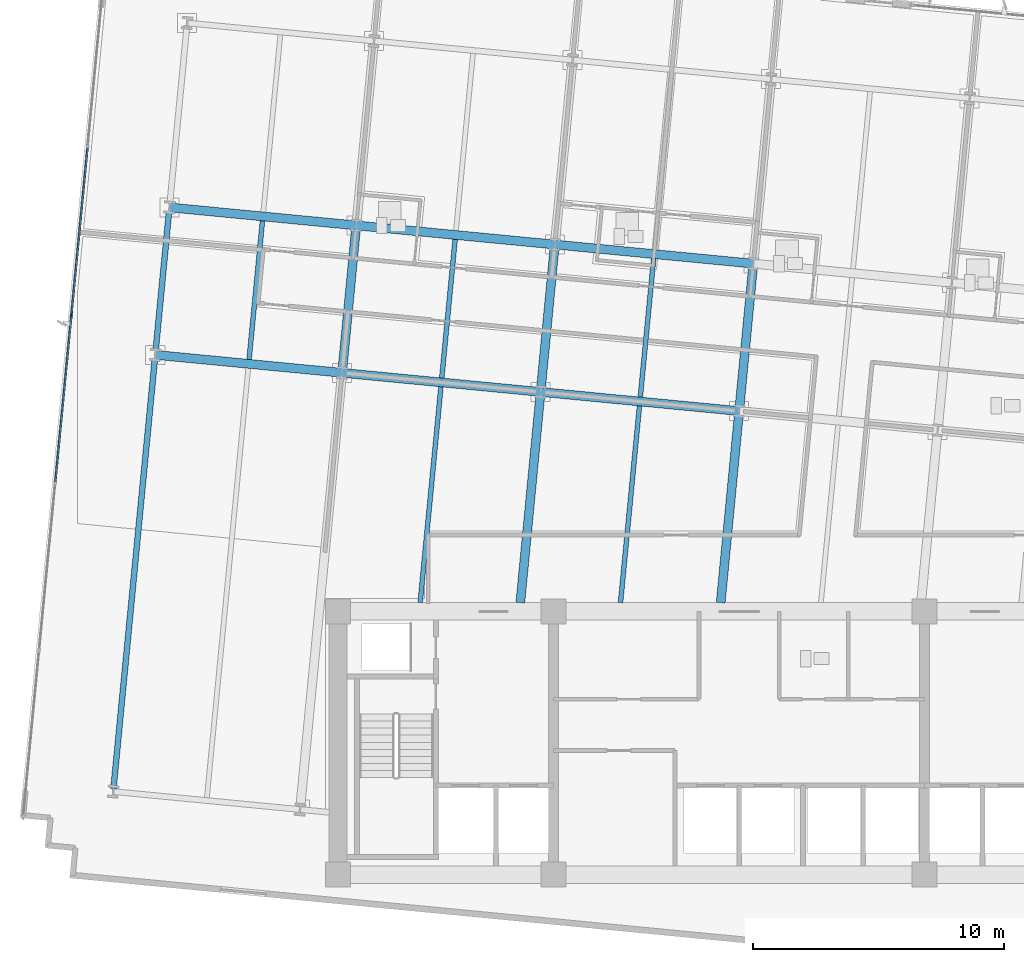
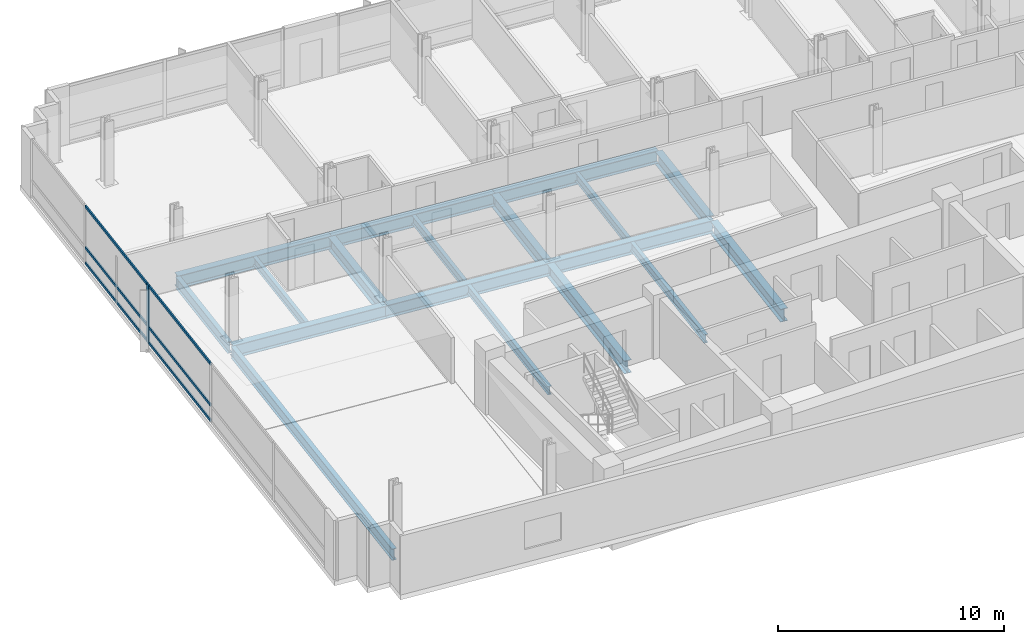
# One storey, part 4 of 17: 18 beams, 7 members, 1 element without a shape of its own.
"""IFC4 building model written with IfcOpenShell, lengths in metres."""

from ifc_helpers import new_model, si_unit, direction, frame, origin, origin_2d, place, context, subcontext, project, spatial, rectangle, i_section, extrude, material, material_profile, profile_set, type_object, element, aggregate, save


model = new_model("IFC4")

# Units and contexts
model_context = context("Model", 3, precision=1e-05, world=origin(), true_north=direction((0.0, 1.0)))
body_context = subcontext(model_context, "Body", "Model", "MODEL_VIEW")
ifc_project = project(units=[si_unit("LENGTHUNIT", "METRE"), si_unit("AREAUNIT", "SQUARE_METRE"), si_unit("VOLUMEUNIT", "CUBIC_METRE"), si_unit("PLANEANGLEUNIT", "RADIAN"), si_unit("MASSUNIT", "GRAM", prefix="KILO")], contexts=[model_context])

# Site, building, storey
site_placement = place(None, origin())
site = spatial("IfcSite", under=ifc_project, at=site_placement, CompositionType="ELEMENT")
building_placement = place(site_placement, origin())
building = spatial("IfcBuilding", under=site, at=building_placement, Name="Solmavex Isthmus Hotel", CompositionType="ELEMENT")
storey_placement = place(building_placement, frame((0.0, 0.0, 139.35009765625)))
storey = spatial("IfcBuildingStorey", under=building, at=storey_placement, Name="L37", CompositionType="ELEMENT", Elevation=139.35009765625)

# Beams
ifc_material_1 = material(Name="Steel ASTM A992 Grade 50", Category="steel")
ifc_material_profile_1 = material_profile(ifc_material_1, i_section(OverallWidth=0.354736328125, OverallDepth=0.695556640625, WebThickness=0.015380859375, FlangeThickness=0.02490234375, FilletRadius=0.017822265625, at=origin_2d()), Name="W27X146")
ifc_profile_set_1 = profile_set([ifc_material_profile_1], Name="Steel ASTM A992 Grade 50")
beam_type_1 = type_object("IfcBeamType", Name="BM-BG-W27X146", PredefinedType="BEAM", material=ifc_profile_set_1)
beam_1_placement = place(storey_placement, frame((-23.291015625, 7.733154296875, -0.60791015625), z_axis=(0.995395279593, -0.095855293875, 0.0), x_axis=(0.095855293875, 0.995395279593, 0.0)))
element("IfcBeam", 1, at=beam_1_placement, inside=storey, type_object=beam_type_1, Name="Floor Girder L37-UG03", PredefinedType="BEAM", context=body_context, shape_type="SweptSolid", body=[
    extrude(i_section(OverallWidth=0.354736328125, OverallDepth=0.695556640625, WebThickness=0.015380859375, FlangeThickness=0.02490234375, FilletRadius=0.017822265625, at=origin_2d()), origin(), (0.0, 0.0, 1.0), 7.488037109375),
])
beam_2_placement = place(storey_placement, frame((-15.83740234375, 7.015380859375, -0.60791015625), z_axis=(0.995397158178, -0.095835783981, 0.0), x_axis=(0.095835783981, 0.995397158178, 0.0)))
element("IfcBeam", 2, at=beam_2_placement, inside=storey, type_object=beam_type_1, Name="Floor Girder L37-UG04", PredefinedType="BEAM", context=body_context, shape_type="SweptSolid", body=[
    extrude(i_section(OverallWidth=0.354736328125, OverallDepth=0.695556640625, WebThickness=0.015380859375, FlangeThickness=0.02490234375, FilletRadius=0.017822265625, at=origin_2d()), origin(), (0.0, 0.0, 1.0), 7.955810546875),
])
beam_3_placement = place(storey_placement, frame((-7.918212890625, 6.2529296875, -0.60791015625), z_axis=(0.995394512348, -0.095863260885, 0.0), x_axis=(0.095863260885, 0.995394512348, 0.0)))
element("IfcBeam", 3, at=beam_3_placement, inside=storey, type_object=beam_type_1, Name="Floor Girder L37-UG05", PredefinedType="BEAM", context=body_context, shape_type="SweptSolid", body=[
    extrude(i_section(OverallWidth=0.354736328125, OverallDepth=0.695556640625, WebThickness=0.015380859375, FlangeThickness=0.02490234375, FilletRadius=0.017822265625, at=origin_2d()), origin(), (0.0, 0.0, 1.0), 7.9560546875),
])
beam_4_placement = place(storey_placement, frame((-22.724853515625, 13.614013671875, -0.60791015625), z_axis=(0.995395279593, -0.095855293875, 0.0), x_axis=(0.095855293875, 0.995395279593, 0.0)))
element("IfcBeam", 4, at=beam_4_placement, inside=storey, type_object=beam_type_1, Name="Floor Girder L37-UG09", PredefinedType="BEAM", context=body_context, shape_type="SweptSolid", body=[
    extrude(i_section(OverallWidth=0.354736328125, OverallDepth=0.695556640625, WebThickness=0.015380859375, FlangeThickness=0.02490234375, FilletRadius=0.017822265625, at=origin_2d()), origin(), (0.0, 0.0, 1.0), 7.488037109375),
])
for number, where, z_axis, x_axis, name in (
    (5, (-15.271240234375, 12.896240234375, -0.60791015625), (0.995397440011, -0.095832856685, 0.0), (0.095832856685, 0.995397440011, 0.0), "Floor Girder L37-UG10"),
    (6, (-7.351806640625, 12.1337890625, -0.60791015625), (0.995394512348, -0.095863260885, 0.0), (0.095863260885, 0.995394512348, 0.0), "Floor Girder L37-UG11"),
):
    element("IfcBeam", number, at=place(storey_placement, frame(where, z_axis=z_axis, x_axis=x_axis)), inside=storey, type_object=beam_type_1, Name=name, PredefinedType="BEAM", context=body_context, shape_type="SweptSolid", body=[
        extrude(i_section(OverallWidth=0.354736328125, OverallDepth=0.695556640625, WebThickness=0.015380859375, FlangeThickness=0.02490234375, FilletRadius=0.017822265625, at=origin_2d()), origin(), (0.0, 0.0, 1.0), 7.9560546875),
    ])
beam_5_placement = place(storey_placement, frame((-15.820556640625, 7.19189453125, -0.60791015625), z_axis=(0.095838058801, 0.995396939158, 0.0), x_axis=(-0.995396939158, 0.095838058801, 0.0)))
element("IfcBeam", 7, at=beam_5_placement, inside=storey, type_object=beam_type_1, Name="Floor Beam L37-VG25", PredefinedType="BEAM", context=body_context, shape_type="SweptSolid", body=[
    extrude(i_section(OverallWidth=0.354736328125, OverallDepth=0.695556640625, WebThickness=0.015380859375, FlangeThickness=0.02490234375, FilletRadius=0.017822265625, at=origin_2d()), origin(), (0.0, 0.0, 1.0), 5.553466796875),
])
beam_6_placement = place(storey_placement, frame((-8.727294921875, -2.14990234375, -0.60791015625), z_axis=(0.095861573524, 0.995394674851, 0.0), x_axis=(-0.995394674851, 0.095861573524, 0.0)))
element("IfcBeam", 8, at=beam_6_placement, inside=storey, type_object=beam_type_1, Name="Floor Beam L37-VG27", PredefinedType="BEAM", context=body_context, shape_type="SweptSolid", body=[
    extrude(i_section(OverallWidth=0.354736328125, OverallDepth=0.695556640625, WebThickness=0.015380859375, FlangeThickness=0.02490234375, FilletRadius=0.017822265625, at=origin_2d()), origin(), (0.0, 0.0, 1.0), 8.264404296875),
])
beam_7_placement = place(storey_placement, frame((-7.901123046875, 6.429443359375, -0.60791015625), z_axis=(0.095842252862, 0.99539653534, 0.0), x_axis=(-0.99539653534, 0.095842252862, 0.0)))
element("IfcBeam", 9, at=beam_7_placement, inside=storey, type_object=beam_type_1, Name="Floor Beam L37-VG28", PredefinedType="BEAM", context=body_context, shape_type="SweptSolid", body=[
    extrude(i_section(OverallWidth=0.354736328125, OverallDepth=0.695556640625, WebThickness=0.015380859375, FlangeThickness=0.02490234375, FilletRadius=0.017822265625, at=origin_2d()), origin(), (0.0, 0.0, 1.0), 5.55322265625),
])
beam_8_placement = place(storey_placement, frame((-0.734375, -2.14990234375, -0.60791015625), z_axis=(0.095856963455, 0.995395118813, 0.0), x_axis=(-0.995395118813, 0.095856963455, 0.0)))
element("IfcBeam", 10, at=beam_8_placement, inside=storey, type_object=beam_type_1, Name="Floor Beam L37-VG30", PredefinedType="BEAM", context=body_context, shape_type="SweptSolid", body=[
    extrude(i_section(OverallWidth=0.354736328125, OverallDepth=0.695556640625, WebThickness=0.015380859375, FlangeThickness=0.02490234375, FilletRadius=0.017822265625, at=origin_2d()), origin(), (0.0, 0.0, 1.0), 7.498046875),
])
beam_9_placement = place(storey_placement, frame((0.018310546875, 5.6669921875, -0.60791015625), z_axis=(0.095842252862, 0.99539653534, 0.0), x_axis=(-0.99539653534, 0.095842252862, 0.0)))
element("IfcBeam", 11, at=beam_9_placement, inside=storey, type_object=beam_type_1, Name="Floor Beam L37-VG31", PredefinedType="BEAM", context=body_context, shape_type="SweptSolid", body=[
    extrude(i_section(OverallWidth=0.354736328125, OverallDepth=0.695556640625, WebThickness=0.015380859375, FlangeThickness=0.02490234375, FilletRadius=0.017822265625, at=origin_2d()), origin(), (0.0, 0.0, 1.0), 5.55322265625),
])
ifc_material_profile_2 = material_profile(ifc_material_1, i_section(OverallWidth=0.1904296875, OverallDepth=0.456787109375, WebThickness=0.009033203125, FlangeThickness=0.014404296875, FilletRadius=0.0126953125, at=origin_2d()), Name="W18X50")
ifc_profile_set_2 = profile_set([ifc_material_profile_2], Name="Steel ASTM A992 Grade 50")
beam_type_2 = type_object("IfcBeamType", Name="BM-BJ-W18X50", PredefinedType="JOIST", material=ifc_profile_set_2)
beam_10_placement = place(storey_placement, frame((-19.547119140625, 7.55078125, -0.488525390625), z_axis=(0.095842252862, 0.99539653534, 0.0), x_axis=(-0.99539653534, 0.095842252862, 0.0)))
element("IfcBeam", 12, at=beam_10_placement, inside=storey, type_object=beam_type_2, Name="Secondary Floor Joist L37-J02", PredefinedType="JOIST", context=body_context, shape_type="SweptSolid", body=[
    extrude(i_section(OverallWidth=0.1904296875, OverallDepth=0.456787109375, WebThickness=0.009033203125, FlangeThickness=0.014404296875, FilletRadius=0.0126953125, at=origin_2d()), origin(), (0.0, 0.0, 1.0), 5.55322265625),
])
beam_11_placement = place(storey_placement, frame((-12.7236328125, -2.14990234375, -0.488525390625), z_axis=(0.095852279322, 0.995395569886, 0.0), x_axis=(-0.995395569886, 0.095852279322, 0.0)))
element("IfcBeam", 13, at=beam_11_placement, inside=storey, type_object=beam_type_2, Name="Secondary Floor Joist L37-J04", PredefinedType="JOIST", context=body_context, shape_type="SweptSolid", body=[
    extrude(i_section(OverallWidth=0.1904296875, OverallDepth=0.456787109375, WebThickness=0.009033203125, FlangeThickness=0.014404296875, FilletRadius=0.0126953125, at=origin_2d()), origin(), (0.0, 0.0, 1.0), 8.647216796875),
])
beam_12_placement = place(storey_placement, frame((-11.86083984375, 6.810791015625, -0.488525390625), z_axis=(0.095842252862, 0.99539653534, 0.0), x_axis=(-0.99539653534, 0.095842252862, 0.0)))
element("IfcBeam", 14, at=beam_12_placement, inside=storey, type_object=beam_type_2, Name="Secondary Floor Joist L37-J05", PredefinedType="JOIST", context=body_context, shape_type="SweptSolid", body=[
    extrude(i_section(OverallWidth=0.1904296875, OverallDepth=0.456787109375, WebThickness=0.009033203125, FlangeThickness=0.014404296875, FilletRadius=0.0126953125, at=origin_2d()), origin(), (0.0, 0.0, 1.0), 5.55322265625),
])
beam_13_placement = place(storey_placement, frame((-4.730712890625, -2.14990234375, -0.488525390625), z_axis=(0.09584403416, 0.995396363825, 0.0), x_axis=(-0.995396363825, 0.09584403416, 0.0)))
element("IfcBeam", 15, at=beam_13_placement, inside=storey, type_object=beam_type_2, Name="Secondary Floor Joist L37-J07", PredefinedType="JOIST", context=body_context, shape_type="SweptSolid", body=[
    extrude(i_section(OverallWidth=0.1904296875, OverallDepth=0.456787109375, WebThickness=0.009033203125, FlangeThickness=0.014404296875, FilletRadius=0.0126953125, at=origin_2d()), origin(), (0.0, 0.0, 1.0), 7.88134765625),
])
beam_14_placement = place(storey_placement, frame((-3.94140625, 6.048095703125, -0.488525390625), z_axis=(0.095838058801, 0.995396939158, 0.0), x_axis=(-0.995396939158, 0.095838058801, 0.0)))
element("IfcBeam", 16, at=beam_14_placement, inside=storey, type_object=beam_type_2, Name="Secondary Floor Joist L37-J08", PredefinedType="JOIST", context=body_context, shape_type="SweptSolid", body=[
    extrude(i_section(OverallWidth=0.1904296875, OverallDepth=0.456787109375, WebThickness=0.009033203125, FlangeThickness=0.014404296875, FilletRadius=0.0126953125, at=origin_2d()), origin(), (0.0, 0.0, 1.0), 5.553466796875),
])
ifc_material_profile_3 = material_profile(ifc_material_1, i_section(OverallWidth=0.230224609375, OverallDepth=0.617431640625, WebThickness=0.01318359375, FlangeThickness=0.022216796875, FilletRadius=0.01513671875, at=origin_2d()), Name="W24X94")
ifc_profile_set_3 = profile_set([ifc_material_profile_3], Name="Steel ASTM A992 Grade 50")
beam_type_3 = type_object("IfcBeamType", Name="BM-SP-W24X94", PredefinedType="SPANDREL", material=ifc_profile_set_3)
beam_15_placement = place(storey_placement, frame((-24.957275390625, -9.571533203125, -0.56884765625), z_axis=(0.095840821687, 0.99539667314, 0.0), x_axis=(-0.99539667314, 0.095840821687, 0.0)))
element("IfcBeam", 17, at=beam_15_placement, inside=storey, type_object=beam_type_3, Name="Floor Beam L37-VG21", PredefinedType="SPANDREL", context=body_context, shape_type="SweptSolid", body=[
    extrude(i_section(OverallWidth=0.230224609375, OverallDepth=0.617431640625, WebThickness=0.01318359375, FlangeThickness=0.022216796875, FilletRadius=0.01513671875, at=origin_2d()), origin(), (0.0, 0.0, 1.0), 17.207275390625),
])
beam_16_placement = place(storey_placement, frame((-23.27392578125, 7.90966796875, -0.56884765625), z_axis=(0.095842252862, 0.99539653534, 0.0), x_axis=(-0.99539653534, 0.095842252862, 0.0)))
element("IfcBeam", 18, at=beam_16_placement, inside=storey, type_object=beam_type_3, Name="Floor Beam L37-VG22", PredefinedType="SPANDREL", context=body_context, shape_type="SweptSolid", body=[
    extrude(i_section(OverallWidth=0.230224609375, OverallDepth=0.617431640625, WebThickness=0.01318359375, FlangeThickness=0.022216796875, FilletRadius=0.01513671875, at=origin_2d()), origin(), (0.0, 0.0, 1.0), 5.55322265625),
])

# Curtain wall, members
ifc_material_2 = material(Name="Aluminium alloy 6063-T6", Category="aluminium")
curtain_wall_type = type_object("IfcCurtainWallType", Name="CW-SYS-03", PredefinedType="NOTDEFINED", material=ifc_material_2)
curtain_wall_placement = place(storey_placement, origin())
curtain_wall = element("IfcCurtainWall", 19, at=curtain_wall_placement, inside=storey, type_object=curtain_wall_type, Name="Stick Curtain Wall CWL-L37-W1", PredefinedType="NOTDEFINED")
ifc_material_profile_4 = material_profile(ifc_material_2, rectangle(XDim=0.070068359375, YDim=0.179931640625, at=origin_2d()), Name="CWM-70X180")
ifc_profile_set_4 = profile_set([ifc_material_profile_4], Name="Aluminium alloy 6063-T6")
member_type_1 = type_object("IfcMemberType", Name="CW-SYS-03-MUL", PredefinedType="MULLION", material=ifc_profile_set_4)
member_1_placement = place(storey_placement, frame((-26.63427734375, 9.32080078125, 0.0), z_axis=(0.0, 0.0, 1.0), x_axis=(-0.995396190038, 0.09584583902, 0.0)))
member_1 = element("IfcMember", 20, at=member_1_placement, type_object=member_type_1, Name="CW-03 mullion 4", PredefinedType="MULLION", context=body_context, shape_type="SweptSolid", body=[
    extrude(rectangle(XDim=0.070068359375, YDim=0.179931640625, at=origin_2d()), origin(), (0.0, 0.0, 1.0), 3.18994140625),
])
ifc_material_profile_5 = material_profile(ifc_material_2, rectangle(XDim=0.070068359375, YDim=0.139892578125, at=origin_2d()), Name="CWT-70X140")
ifc_profile_set_5 = profile_set([ifc_material_profile_5], Name="Aluminium alloy 6063-T6")
member_type_2 = type_object("IfcMemberType", Name="CW-SYS-03-TRN", PredefinedType="USERDEFINED", material=ifc_profile_set_5)
member_2_placement = place(storey_placement, frame((-27.27490234375, 2.666748046875, 0.06982421875), z_axis=(0.095857212138, 0.995395094865, 0.0), x_axis=(-0.995395094865, 0.095857212138, 0.0)))
member_2 = element("IfcMember", 21, at=member_2_placement, type_object=member_type_2, Name="CW-03 transom 3.1", ObjectType="TRANSOM", PredefinedType="USERDEFINED", context=body_context, shape_type="SweptSolid", body=[
    extrude(rectangle(XDim=0.070068359375, YDim=0.139892578125, at=origin_2d()), origin(), (0.0, 0.0, 1.0), 6.64990234375),
])
member_3_placement = place(storey_placement, frame((-27.27490234375, 2.666748046875, 0.89990234375), z_axis=(0.095857212138, 0.995395094865, 0.0), x_axis=(-0.995395094865, 0.095857212138, 0.0)))
member_3 = element("IfcMember", 22, at=member_3_placement, type_object=member_type_2, Name="CW-03 transom 3.2", ObjectType="TRANSOM", PredefinedType="USERDEFINED", context=body_context, shape_type="SweptSolid", body=[
    extrude(rectangle(XDim=0.070068359375, YDim=0.139892578125, at=origin_2d()), origin(), (0.0, 0.0, 1.0), 6.64990234375),
])
member_4_placement = place(storey_placement, frame((-27.27490234375, 2.666748046875, 3.119873046875), z_axis=(0.095857212138, 0.995395094865, 0.0), x_axis=(-0.995395094865, 0.095857212138, 0.0)))
member_4 = element("IfcMember", 23, at=member_4_placement, type_object=member_type_2, Name="CW-03 transom 3.3", ObjectType="TRANSOM", PredefinedType="USERDEFINED", context=body_context, shape_type="SweptSolid", body=[
    extrude(rectangle(XDim=0.070068359375, YDim=0.139892578125, at=origin_2d()), origin(), (0.0, 0.0, 1.0), 6.64990234375),
])
member_5_placement = place(storey_placement, frame((-26.630859375, 9.355712890625, 0.06982421875), z_axis=(0.095857212138, 0.995395094865, 0.0), x_axis=(-0.995395094865, 0.095857212138, 0.0)))
member_5 = element("IfcMember", 24, at=member_5_placement, type_object=member_type_2, Name="CW-03 transom 4.1", ObjectType="TRANSOM", PredefinedType="USERDEFINED", context=body_context, shape_type="SweptSolid", body=[
    extrude(rectangle(XDim=0.070068359375, YDim=0.139892578125, at=origin_2d()), origin(), (0.0, 0.0, 1.0), 6.64990234375),
])
member_6_placement = place(storey_placement, frame((-26.630859375, 9.355712890625, 0.89990234375), z_axis=(0.095857212138, 0.995395094865, 0.0), x_axis=(-0.995395094865, 0.095857212138, 0.0)))
member_6 = element("IfcMember", 25, at=member_6_placement, type_object=member_type_2, Name="CW-03 transom 4.2", ObjectType="TRANSOM", PredefinedType="USERDEFINED", context=body_context, shape_type="SweptSolid", body=[
    extrude(rectangle(XDim=0.070068359375, YDim=0.139892578125, at=origin_2d()), origin(), (0.0, 0.0, 1.0), 6.64990234375),
])
member_7_placement = place(storey_placement, frame((-26.630859375, 9.355712890625, 3.119873046875), z_axis=(0.095857212138, 0.995395094865, 0.0), x_axis=(-0.995395094865, 0.095857212138, 0.0)))
member_7 = element("IfcMember", 26, at=member_7_placement, type_object=member_type_2, Name="CW-03 transom 4.3", ObjectType="TRANSOM", PredefinedType="USERDEFINED", context=body_context, shape_type="SweptSolid", body=[
    extrude(rectangle(XDim=0.070068359375, YDim=0.139892578125, at=origin_2d()), origin(), (0.0, 0.0, 1.0), 6.64990234375),
])
aggregate(curtain_wall, [member_1, member_2, member_3, member_4, member_5, member_6, member_7])

save(model, "model.ifc")
